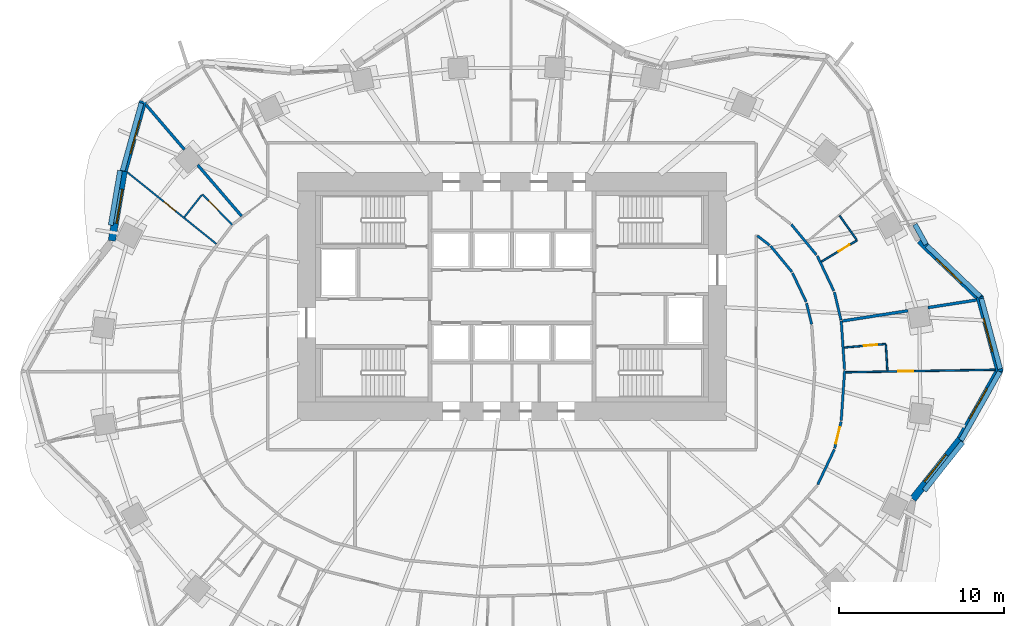
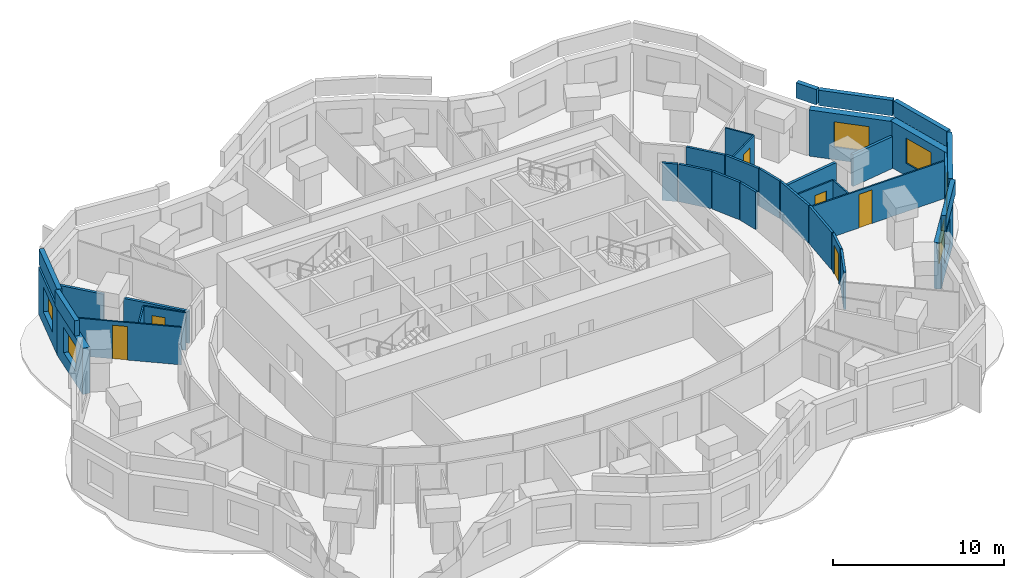
# One storey, part 8 of 12: 36 walls, 6 doors, 6 windows, 12 openings.
"""IFC4 building model written with IfcOpenShell, lengths in metres."""

from ifc_helpers import new_model, si_unit, direction, frame, frame_2d, origin, place, context, subcontext, project, spatial, rectangle, extrude, material, layer, layer_set, type_object, element, fill, save


model = new_model("IFC4")

# Units and contexts
model_context = context("Model", 3, precision=1e-05, world=origin(), true_north=direction((0.0, 1.0)))
body_context = subcontext(model_context, "Body", "Model", "MODEL_VIEW")
ifc_project = project(units=[si_unit("LENGTHUNIT", "METRE"), si_unit("AREAUNIT", "SQUARE_METRE"), si_unit("VOLUMEUNIT", "CUBIC_METRE"), si_unit("PLANEANGLEUNIT", "RADIAN"), si_unit("MASSUNIT", "GRAM", prefix="KILO")], contexts=[model_context])

# Site, building, storey
site_placement = place(None, origin())
site = spatial("IfcSite", under=ifc_project, at=site_placement, CompositionType="ELEMENT")
building_placement = place(site_placement, origin())
building = spatial("IfcBuilding", under=site, at=building_placement, Name="Rubra Terraces Tower", CompositionType="ELEMENT")
storey_placement = place(building_placement, frame((0.0, 0.0, 117.60009765625)))
storey = spatial("IfcBuildingStorey", under=building, at=storey_placement, Name="L28", CompositionType="ELEMENT", Elevation=117.60009765625)

# Walls
ifc_material_1 = material(Name="Twin plasterboard on staggered steel stud, acoustic mineral wool", Category="steel")
ifc_layer_1 = layer(ifc_material_1, 0.175048828125)
ifc_layer_set_1 = layer_set([ifc_layer_1], Name="Twin plasterboard on staggered steel stud, acoustic mineral wool")
wall_type_1 = type_object("IfcWallType", Name="ACOUSTIC PARTY WALL 175 LOW HEAD", PredefinedType="PARTITIONING", material=ifc_layer_set_1)
wall_1_placement = place(storey_placement, frame((28.1396484375, 4.282470703125, 0.0), z_axis=(0.0, 0.0, 1.0), x_axis=(-0.988018688308, -0.154334285089, 0.0)))
element("IfcWall", 1, at=wall_1_placement, inside=storey, type_object=wall_type_1, Name="PARTITION", PredefinedType="PARTITIONING", context=body_context, shape_type="SweptSolid", body=[
    extrude(rectangle(XDim=2.972412109375, YDim=0.175048828125, at=frame_2d((1.486328125, 0.0))), origin(), (0.0, 0.0, 1.0), 2.27978515625),
])
wall_2_placement = place(storey_placement, frame((23.977783203125, 3.63232421875, 0.0), z_axis=(0.0, 0.0, 1.0), x_axis=(-0.988026255512, -0.154285833501, 0.0)))
element("IfcWall", 2, at=wall_2_placement, inside=storey, type_object=wall_type_1, Name="PARTITION", PredefinedType="PARTITIONING", context=body_context, shape_type="SweptSolid", body=[
    extrude(rectangle(XDim=4.00830078125, YDim=0.175048828125, at=frame_2d((2.004150390625, 0.0))), origin(), (0.0, 0.0, 1.0), 2.27978515625),
])
wall_3_placement = place(storey_placement, frame((-22.167236328125, 16.10400390625, 0.0), z_axis=(0.0, 0.0, 1.0), x_axis=(0.651585854712, -0.758574896724, 0.0)))
element("IfcWall", 3, at=wall_3_placement, inside=storey, type_object=wall_type_1, Name="PARTITION", PredefinedType="PARTITIONING", context=body_context, shape_type="SweptSolid", body=[
    extrude(rectangle(XDim=3.566650390625, YDim=0.175048828125, at=frame_2d((1.783203125, 0.0))), origin(), (0.0, 0.0, 1.0), 2.27978515625),
])
wall_4_placement = place(storey_placement, frame((-19.03515625, 12.457763671875, 0.0), z_axis=(0.0, 0.0, 1.0), x_axis=(0.651615806177, -0.758549168571, 0.0)))
element("IfcWall", 4, at=wall_4_placement, inside=storey, type_object=wall_type_1, Name="PARTITION", PredefinedType="PARTITIONING", context=body_context, shape_type="SweptSolid", body=[
    extrude(rectangle(XDim=4.07080078125, YDim=0.175048828125, at=frame_2d((2.035400390625, 0.0))), origin(), (0.0, 0.0, 1.0), 2.27978515625),
])

# Wall, opening, window
ifc_material_2 = material(Name="Brick masonry red-brown", Category="masonry")
ifc_layer_2 = layer(ifc_material_2, 0.449951171875)
ifc_layer_set_2 = layer_set([ifc_layer_2], Name="Brick masonry red-brown")
wall_type_2 = type_object("IfcWallType", Name="Brick facade wall 450", PredefinedType="SOLIDWALL", material=ifc_layer_set_2)
wall_5_placement = place(storey_placement, frame((29.539794921875, -0.05810546875, 0.0), z_axis=(0.0, 0.0, 1.0), x_axis=(-0.258581372102, 0.96598947924, 0.0)))
wall_5 = element("IfcWall", 5, at=wall_5_placement, inside=storey, type_object=wall_type_2, Name="Facade wall L28 bay 1", PredefinedType="SOLIDWALL", context=body_context, shape_type="SweptSolid", body=[
    extrude(rectangle(XDim=4.68017578125, YDim=0.449951171875, at=frame_2d((2.340087890625, 0.0))), origin(), (0.0, 0.0, 1.0), 3.2998046875),
])
opening_1_placement = place(wall_5_placement, frame((1.2900390625, 0.0, 0.89990234375)))
opening_1 = element("IfcOpeningElement", 6, at=opening_1_placement, cuts=wall_5, Name="Opening W1Z", PredefinedType="OPENING", context=body_context, shape_type="SweptSolid", body=[
    extrude(rectangle(XDim=2.10009765625, YDim=1.800048828125, at=frame_2d((1.050048828125, 0.89990234375))), frame((0.0, 0.23486328125, 0.0), z_axis=(0.0, -1.0, 0.0), x_axis=(1.0, 0.0, 0.0)), (0.0, 0.0, 1.0), 0.469970703125),
])
ifc_material_3 = material(Name="Clear glass in aluminium frame", Category="aluminium")
window_type = type_object("IfcWindowType", Name="Fixed deep-set window under transfer level 2100 x 1800", PartitioningType="SINGLE_PANEL", PredefinedType="WINDOW", material=ifc_material_3)
window_1_placement = place(opening_1_placement, origin())
window_1 = element("IfcWindow", 7, at=window_1_placement, inside=storey, type_object=window_type, Name="Window L28 bay 1", OverallHeight=1.800048828125, OverallWidth=2.10009765625, PartitioningType="SINGLE_PANEL", PredefinedType="WINDOW", context=body_context, shape_type="SweptSolid", body=[
    extrude(rectangle(XDim=2.10009765625, YDim=1.800048828125, at=frame_2d((1.050048828125, 0.89990234375))), frame((0.0, 0.135009765625, 0.0), z_axis=(0.0, -1.0, 0.0), x_axis=(1.0, 0.0, 0.0)), (0.0, 0.0, 1.0), 0.06005859375),
])
fill(opening_1, window_1)

wall_6_placement = place(storey_placement, frame((28.38720703125, 4.362548828125, 0.0), z_axis=(0.0, 0.0, 1.0), x_axis=(-0.722717697728, 0.691143349379, 0.0)))
wall_6 = element("IfcWall", 8, at=wall_6_placement, inside=storey, type_object=wall_type_2, Name="Facade wall L28 bay 2", PredefinedType="SOLIDWALL", context=body_context, shape_type="SweptSolid", body=[
    extrude(rectangle(XDim=5.103271484375, YDim=0.449951171875, at=frame_2d((2.5517578125, 0.0))), origin(), (0.0, 0.0, 1.0), 3.2998046875),
])
opening_2_placement = place(wall_6_placement, frame((1.501708984375, 0.0, 0.89990234375)))
opening_2 = element("IfcOpeningElement", 9, at=opening_2_placement, cuts=wall_6, Name="Opening W1Z", PredefinedType="OPENING", context=body_context, shape_type="SweptSolid", body=[
    extrude(rectangle(XDim=2.10009765625, YDim=1.800048828125, at=frame_2d((1.050048828125, 0.89990234375))), frame((0.0, 0.23486328125, 0.0), z_axis=(0.0, -1.0, 0.0), x_axis=(1.0, 0.0, 0.0)), (0.0, 0.0, 1.0), 0.469970703125),
])
window_2_placement = place(opening_2_placement, origin())
window_2 = element("IfcWindow", 10, at=window_2_placement, inside=storey, type_object=window_type, Name="Window L28 bay 2", OverallHeight=1.800048828125, OverallWidth=2.10009765625, PartitioningType="SINGLE_PANEL", PredefinedType="WINDOW", context=body_context, shape_type="SweptSolid", body=[
    extrude(rectangle(XDim=2.10009765625, YDim=1.800048828125, at=frame_2d((1.050048828125, 0.89990234375))), frame((0.0, 0.135009765625, 0.0), z_axis=(0.0, -1.0, 0.0), x_axis=(1.0, 0.0, 0.0)), (0.0, 0.0, 1.0), 0.06005859375),
])
fill(opening_2, window_2)

wall_7_placement = place(storey_placement, frame((-22.343505859375, 16.32568359375, 0.0), z_axis=(0.0, 0.0, 1.0), x_axis=(-0.267925456304, -0.963439645159, 0.0)))
wall_7 = element("IfcWall", 11, at=wall_7_placement, inside=storey, type_object=wall_type_2, Name="Facade wall L28 bay 17", PredefinedType="SOLIDWALL", context=body_context, shape_type="SweptSolid", body=[
    extrude(rectangle(XDim=4.4267578125, YDim=0.449951171875, at=frame_2d((2.21337890625, 0.0))), origin(), (0.0, 0.0, 1.0), 3.2998046875),
])
opening_3_placement = place(wall_7_placement, frame((1.16357421875, 0.0, 0.89990234375)))
opening_3 = element("IfcOpeningElement", 12, at=opening_3_placement, cuts=wall_7, Name="Opening W1Z", PredefinedType="OPENING", context=body_context, shape_type="SweptSolid", body=[
    extrude(rectangle(XDim=2.10009765625, YDim=1.800048828125, at=frame_2d((1.050048828125, 0.89990234375))), frame((0.0, 0.23486328125, 0.0), z_axis=(0.0, -1.0, 0.0), x_axis=(1.0, 0.0, 0.0)), (0.0, 0.0, 1.0), 0.469970703125),
])
window_3_placement = place(opening_3_placement, origin())
window_3 = element("IfcWindow", 13, at=window_3_placement, inside=storey, type_object=window_type, Name="Window L28 bay 17", OverallHeight=1.800048828125, OverallWidth=2.10009765625, PartitioningType="SINGLE_PANEL", PredefinedType="WINDOW", context=body_context, shape_type="SweptSolid", body=[
    extrude(rectangle(XDim=2.10009765625, YDim=1.800048828125, at=frame_2d((1.050048828125, 0.89990234375))), frame((0.0, 0.135009765625, 0.0), z_axis=(0.0, -1.0, 0.0), x_axis=(1.0, 0.0, 0.0)), (0.0, 0.0, 1.0), 0.06005859375),
])
fill(opening_3, window_3)

wall_8_placement = place(storey_placement, frame((-23.524169921875, 12.0830078125, 0.0), z_axis=(0.0, 0.0, 1.0), x_axis=(-0.167445072349, -0.985881406532, 0.0)))
wall_8 = element("IfcWall", 14, at=wall_8_placement, inside=storey, type_object=wall_type_2, Name="Facade wall L28 bay 18", PredefinedType="SOLIDWALL", context=body_context, shape_type="SweptSolid", body=[
    extrude(rectangle(XDim=4.27490234375, YDim=0.449951171875, at=frame_2d((2.137451171875, 0.0))), origin(), (0.0, 0.0, 1.0), 3.2998046875),
])
opening_4_placement = place(wall_8_placement, frame((1.08740234375, 0.0, 0.89990234375)))
opening_4 = element("IfcOpeningElement", 15, at=opening_4_placement, cuts=wall_8, Name="Opening W1Z", PredefinedType="OPENING", context=body_context, shape_type="SweptSolid", body=[
    extrude(rectangle(XDim=2.10009765625, YDim=1.800048828125, at=frame_2d((1.050048828125, 0.89990234375))), frame((0.0, 0.23486328125, 0.0), z_axis=(0.0, -1.0, 0.0), x_axis=(1.0, 0.0, 0.0)), (0.0, 0.0, 1.0), 0.469970703125),
])
window_4_placement = place(opening_4_placement, origin())
window_4 = element("IfcWindow", 16, at=window_4_placement, inside=storey, type_object=window_type, Name="Window L28 bay 18", OverallHeight=1.800048828125, OverallWidth=2.10009765625, PartitioningType="SINGLE_PANEL", PredefinedType="WINDOW", context=body_context, shape_type="SweptSolid", body=[
    extrude(rectangle(XDim=2.10009765625, YDim=1.800048828125, at=frame_2d((1.050048828125, 0.89990234375))), frame((0.0, 0.135009765625, 0.0), z_axis=(0.0, -1.0, 0.0), x_axis=(1.0, 0.0, 0.0)), (0.0, 0.0, 1.0), 0.06005859375),
])
fill(opening_4, window_4)

wall_9_placement = place(storey_placement, frame((24.2822265625, -7.773681640625, 0.0), z_axis=(0.0, 0.0, 1.0), x_axis=(0.621735490397, 0.783227285008, 0.0)))
wall_9 = element("IfcWall", 17, at=wall_9_placement, inside=storey, type_object=wall_type_2, Name="Facade wall L28 bay 39", PredefinedType="SOLIDWALL", context=body_context, shape_type="SweptSolid", body=[
    extrude(rectangle(XDim=4.62451171875, YDim=0.449951171875, at=frame_2d((2.312255859375, 0.0))), origin(), (0.0, 0.0, 1.0), 3.2998046875),
])
opening_5_placement = place(wall_9_placement, frame((1.26220703125, 0.0, 0.89990234375)))
opening_5 = element("IfcOpeningElement", 18, at=opening_5_placement, cuts=wall_9, Name="Opening W1Z", PredefinedType="OPENING", context=body_context, shape_type="SweptSolid", body=[
    extrude(rectangle(XDim=2.10009765625, YDim=1.800048828125, at=frame_2d((1.050048828125, 0.89990234375))), frame((0.0, 0.23486328125, 0.0), z_axis=(0.0, -1.0, 0.0), x_axis=(1.0, 0.0, 0.0)), (0.0, 0.0, 1.0), 0.469970703125),
])
window_5_placement = place(opening_5_placement, origin())
window_5 = element("IfcWindow", 19, at=window_5_placement, inside=storey, type_object=window_type, Name="Window L28 bay 39", OverallHeight=1.800048828125, OverallWidth=2.10009765625, PartitioningType="SINGLE_PANEL", PredefinedType="WINDOW", context=body_context, shape_type="SweptSolid", body=[
    extrude(rectangle(XDim=2.10009765625, YDim=1.800048828125, at=frame_2d((1.050048828125, 0.89990234375))), frame((0.0, 0.135009765625, 0.0), z_axis=(0.0, -1.0, 0.0), x_axis=(1.0, 0.0, 0.0)), (0.0, 0.0, 1.0), 0.06005859375),
])
fill(opening_5, window_5)

wall_10_placement = place(storey_placement, frame((27.138427734375, -4.180908203125, 0.0), z_axis=(0.0, 0.0, 1.0), x_axis=(0.491588303761, 0.870827732451, 0.0)))
wall_10 = element("IfcWall", 20, at=wall_10_placement, inside=storey, type_object=wall_type_2, Name="Facade wall L28 bay 40", PredefinedType="SOLIDWALL", context=body_context, shape_type="SweptSolid", body=[
    extrude(rectangle(XDim=4.924072265625, YDim=0.449951171875, at=frame_2d((2.4619140625, 0.0))), origin(), (0.0, 0.0, 1.0), 3.2998046875),
])
opening_6_placement = place(wall_10_placement, frame((1.412109375, 0.0, 0.89990234375)))
opening_6 = element("IfcOpeningElement", 21, at=opening_6_placement, cuts=wall_10, Name="Opening W1Z", PredefinedType="OPENING", context=body_context, shape_type="SweptSolid", body=[
    extrude(rectangle(XDim=2.10009765625, YDim=1.800048828125, at=frame_2d((1.050048828125, 0.89990234375))), frame((0.0, 0.23486328125, 0.0), z_axis=(0.0, -1.0, 0.0), x_axis=(1.0, 0.0, 0.0)), (0.0, 0.0, 1.0), 0.469970703125),
])
window_6_placement = place(opening_6_placement, origin())
window_6 = element("IfcWindow", 22, at=window_6_placement, inside=storey, type_object=window_type, Name="Window L28 bay 40", OverallHeight=1.800048828125, OverallWidth=2.10009765625, PartitioningType="SINGLE_PANEL", PredefinedType="WINDOW", context=body_context, shape_type="SweptSolid", body=[
    extrude(rectangle(XDim=2.10009765625, YDim=1.800048828125, at=frame_2d((1.050048828125, 0.89990234375))), frame((0.0, 0.135009765625, 0.0), z_axis=(0.0, -1.0, 0.0), x_axis=(1.0, 0.0, 0.0)), (0.0, 0.0, 1.0), 0.06005859375),
])
fill(opening_6, window_6)

# Walls
ifc_layer_3 = layer(ifc_material_2, 0.300048828125)
ifc_layer_set_3 = layer_set([ifc_layer_3], Name="Brick masonry red-brown")
wall_type_3 = type_object("IfcWallType", Name="Brick parapet 300", PredefinedType="PARAPET", material=ifc_layer_set_3)
wall_11_placement = place(storey_placement, frame((29.57275390625, 0.1083984375, 3.599853515625), z_axis=(0.0, 0.0, 1.0), x_axis=(-0.258523195294, 0.96600505045, 0.0)))
element("IfcWall", 23, at=wall_11_placement, inside=storey, type_object=wall_type_3, Name="Parapet L28 bay 1", PredefinedType="PARAPET", context=body_context, shape_type="SweptSolid", body=[
    extrude(rectangle(XDim=4.4140625, YDim=0.300048828125, at=frame_2d((2.20703125, 0.0))), origin(), (0.0, 0.0, 1.0), 1.10009765625),
])
wall_12_placement = place(storey_placement, frame((28.36083984375, 4.491455078125, 3.599853515625), z_axis=(0.0, 0.0, 1.0), x_axis=(-0.722718045729, 0.691142985479, 0.0)))
element("IfcWall", 24, at=wall_12_placement, inside=storey, type_object=wall_type_3, Name="Parapet L28 bay 2", PredefinedType="PARAPET", context=body_context, shape_type="SweptSolid", body=[
    extrude(rectangle(XDim=4.45361328125, YDim=0.300048828125, at=frame_2d((2.226806640625, 0.0))), origin(), (0.0, 0.0, 1.0), 1.10009765625),
])
wall_13_placement = place(storey_placement, frame((25.078369140625, 7.65234375, 3.599853515625), z_axis=(0.0, 0.0, 1.0), x_axis=(-0.485193459679, 0.874406831335, 0.0)))
element("IfcWall", 25, at=wall_13_placement, inside=storey, type_object=wall_type_3, Name="Parapet L28 bay 3", PredefinedType="PARAPET", context=body_context, shape_type="SweptSolid", body=[
    extrude(rectangle(XDim=1.3837890625, YDim=0.300048828125, at=frame_2d((0.69189453125, 0.0))), origin(), (0.0, 0.0, 1.0), 1.10009765625),
])
wall_14_placement = place(storey_placement, frame((-22.452392578125, 16.213134765625, 3.599853515625), z_axis=(0.0, 0.0, 1.0), x_axis=(-0.267993020858, -0.963420853403, 0.0)))
element("IfcWall", 26, at=wall_14_placement, inside=storey, type_object=wall_type_3, Name="Parapet L28 bay 17", PredefinedType="PARAPET", context=body_context, shape_type="SweptSolid", body=[
    extrude(rectangle(XDim=4.25537109375, YDim=0.300048828125, at=frame_2d((2.127685546875, 0.0))), origin(), (0.0, 0.0, 1.0), 1.10009765625),
])
wall_15_placement = place(storey_placement, frame((-23.7451171875, 12.125, 3.599853515625), z_axis=(0.0, 0.0, 1.0), x_axis=(-0.167466753484, -0.985877723898, 0.0)))
element("IfcWall", 27, at=wall_15_placement, inside=storey, type_object=wall_type_3, Name="Parapet L28 bay 18", PredefinedType="PARAPET", context=body_context, shape_type="SweptSolid", body=[
    extrude(rectangle(XDim=3.3544921875, YDim=0.300048828125, at=frame_2d((1.67724609375, 0.0))), origin(), (0.0, 0.0, 1.0), 1.10009765625),
])
wall_16_placement = place(storey_placement, frame((24.9775390625, -7.259521484375, 3.599853515625), z_axis=(0.0, 0.0, 1.0), x_axis=(0.621751362571, 0.783214685218, 0.0)))
element("IfcWall", 28, at=wall_16_placement, inside=storey, type_object=wall_type_3, Name="Parapet L28 bay 39", PredefinedType="PARAPET", context=body_context, shape_type="SweptSolid", body=[
    extrude(rectangle(XDim=3.73779296875, YDim=0.300048828125, at=frame_2d((1.868896484375, 0.0))), origin(), (0.0, 0.0, 1.0), 1.10009765625),
])
wall_17_placement = place(storey_placement, frame((27.204345703125, -4.216796875, 3.599853515625), z_axis=(0.0, 0.0, 1.0), x_axis=(0.491605625826, 0.870817953798, 0.0)))
element("IfcWall", 29, at=wall_17_placement, inside=storey, type_object=wall_type_3, Name="Parapet L28 bay 40", PredefinedType="PARAPET", context=body_context, shape_type="SweptSolid", body=[
    extrude(rectangle(XDim=4.7744140625, YDim=0.300048828125, at=frame_2d((2.38720703125, 0.0))), origin(), (0.0, 0.0, 1.0), 1.10009765625),
])
ifc_material_4 = material(Name="Plasterboard on steel stud, mineral wool infill", Category="steel")
ifc_layer_4 = layer(ifc_material_4, 0.14990234375)
ifc_layer_set_4 = layer_set([ifc_layer_4], Name="Plasterboard on steel stud, mineral wool infill")
wall_type_4 = type_object("IfcWallType", Name="CORRIDOR PARTITION 150", PredefinedType="PARTITIONING", material=ifc_layer_set_4)
wall_18_placement = place(storey_placement, frame((18.521728515625, -6.891357421875, 0.0), z_axis=(0.0, 0.0, 1.0), x_axis=(0.428157819028, 0.903703979191, 0.0)))
element("IfcWall", 30, at=wall_18_placement, inside=storey, type_object=wall_type_4, Name="PARTITION", PredefinedType="PARTITIONING", context=body_context, shape_type="SweptSolid", body=[
    extrude(rectangle(XDim=2.349365234375, YDim=0.14990234375, at=frame_2d((1.1748046875, 0.0))), origin(), (0.0, 0.0, 1.0), 2.683837890625),
])

# Wall, opening, door
wall_19_placement = place(storey_placement, frame((19.54541015625, -4.695556640625, 0.0), z_axis=(0.0, 0.0, 1.0), x_axis=(0.23674251562, 0.971572427201, 0.0)))
wall_19 = element("IfcWall", 31, at=wall_19_placement, inside=storey, type_object=wall_type_4, Name="PARTITION", PredefinedType="PARTITIONING", context=body_context, shape_type="SweptSolid", body=[
    extrude(rectangle(XDim=1.6572265625, YDim=0.14990234375, at=frame_2d((0.82861328125, 0.0))), origin(), (0.0, 0.0, 1.0), 2.683837890625),
])
opening_7_placement = place(wall_19_placement, frame((0.300048828125, 0.0, 0.0)))
opening_7 = element("IfcOpeningElement", 32, at=opening_7_placement, cuts=wall_19, Name="Opening 28-111", PredefinedType="OPENING", context=body_context, shape_type="SweptSolid", body=[
    extrude(rectangle(XDim=1.0, YDim=2.10009765625, at=frame_2d((0.5, 1.050048828125))), frame((0.0, 0.0849609375, 0.0), z_axis=(0.0, -1.0, 0.0), x_axis=(1.0, 0.0, 0.0)), (0.0, 0.0, 1.0), 0.169921875),
])
ifc_material_5 = material(Name="Painted timber door leaf", Category="wood")
door_type_1 = type_object("IfcDoorType", Name="ROOM DOOR 1000 X 2100", OperationType="SINGLE_SWING_LEFT", PredefinedType="DOOR", material=ifc_material_5)
door_1_placement = place(opening_7_placement, origin())
door_1 = element("IfcDoor", 33, at=door_1_placement, inside=storey, type_object=door_type_1, Name="DOOR 28-111", OperationType="SINGLE_SWING_RIGHT", OverallHeight=2.10009765625, OverallWidth=1.0, PredefinedType="DOOR", context=body_context, shape_type="SweptSolid", body=[
    extrude(rectangle(XDim=1.0, YDim=2.10009765625, at=frame_2d((0.5, 1.050048828125))), frame((0.0, 0.02490234375, 0.0), z_axis=(0.0, -1.0, 0.0), x_axis=(1.0, 0.0, 0.0)), (0.0, 0.0, 1.0), 0.050048828125),
])
fill(opening_7, door_1)

# Walls
wall_20_placement = place(storey_placement, frame((19.94287109375, -3.0107421875, 0.0), z_axis=(0.0, 0.0, 1.0), x_axis=(0.068280105787, 0.997666190243, 0.0)))
element("IfcWall", 34, at=wall_20_placement, inside=storey, type_object=wall_type_4, Name="PARTITION", PredefinedType="PARTITIONING", context=body_context, shape_type="SweptSolid", body=[
    extrude(rectangle(XDim=3.017822265625, YDim=0.14990234375, at=frame_2d((1.5087890625, 0.0))), origin(), (0.0, 0.0, 1.0), 2.683837890625),
])
wall_21_placement = place(storey_placement, frame((20.143798828125, 0.07470703125, 0.0), z_axis=(0.0, 0.0, 1.0), x_axis=(-0.068308095169, 0.99766427426, 0.0)))
element("IfcWall", 35, at=wall_21_placement, inside=storey, type_object=wall_type_4, Name="PARTITION", PredefinedType="PARTITIONING", context=body_context, shape_type="SweptSolid", body=[
    extrude(rectangle(XDim=2.934326171875, YDim=0.14990234375, at=frame_2d((1.46728515625, 0.0))), origin(), (0.0, 0.0, 1.0), 2.683837890625),
])
wall_22_placement = place(storey_placement, frame((19.92626953125, 3.0751953125, 0.0), z_axis=(0.0, 0.0, 1.0), x_axis=(-0.229203617638, 0.973378498664, 0.0)))
element("IfcWall", 36, at=wall_22_placement, inside=storey, type_object=wall_type_4, Name="PARTITION", PredefinedType="PARTITIONING", context=body_context, shape_type="SweptSolid", body=[
    extrude(rectangle(XDim=1.739501953125, YDim=0.14990234375, at=frame_2d((0.86962890625, 0.0))), origin(), (0.0, 0.0, 1.0), 2.683837890625),
])
wall_23_placement = place(storey_placement, frame((19.495361328125, 4.836181640625, 0.0), z_axis=(0.0, 0.0, 1.0), x_axis=(-0.428157819028, 0.903703979191, 0.0)))
element("IfcWall", 37, at=wall_23_placement, inside=storey, type_object=wall_type_4, Name="PARTITION", PredefinedType="PARTITIONING", context=body_context, shape_type="SweptSolid", body=[
    extrude(rectangle(XDim=2.349365234375, YDim=0.14990234375, at=frame_2d((1.1748046875, 0.0))), origin(), (0.0, 0.0, 1.0), 2.683837890625),
])
wall_24_placement = place(storey_placement, frame((18.44189453125, 7.01708984375, 0.0), z_axis=(0.0, 0.0, 1.0), x_axis=(-0.636538018119, 0.7712453251, 0.0)))
element("IfcWall", 38, at=wall_24_placement, inside=storey, type_object=wall_type_4, Name="PARTITION", PredefinedType="PARTITIONING", context=body_context, shape_type="SweptSolid", body=[
    extrude(rectangle(XDim=2.388671875, YDim=0.14990234375, at=frame_2d((1.1943359375, 0.0))), origin(), (0.0, 0.0, 1.0), 2.683837890625),
])
wall_25_placement = place(storey_placement, frame((15.66162109375, 7.557861328125, 0.0), z_axis=(0.0, 0.0, 1.0), x_axis=(0.636500564941, -0.7712762351, 0.0)))
element("IfcWall", 39, at=wall_25_placement, inside=storey, type_object=wall_type_4, Name="PARTITION", PredefinedType="PARTITIONING", context=body_context, shape_type="SweptSolid", body=[
    extrude(rectangle(XDim=2.037841796875, YDim=0.14990234375, at=frame_2d((1.01904296875, 0.0))), origin(), (0.0, 0.0, 1.0), 2.683837890625),
])
wall_26_placement = place(storey_placement, frame((16.990966796875, 5.918212890625, 0.0), z_axis=(0.0, 0.0, 1.0), x_axis=(0.428199863362, -0.903684058185, 0.0)))
element("IfcWall", 40, at=wall_26_placement, inside=storey, type_object=wall_type_4, Name="PARTITION", PredefinedType="PARTITIONING", context=body_context, shape_type="SweptSolid", body=[
    extrude(rectangle(XDim=1.94140625, YDim=0.14990234375, at=frame_2d((0.970703125, 0.0))), origin(), (0.0, 0.0, 1.0), 2.683837890625),
])
wall_27_placement = place(storey_placement, frame((17.840087890625, 4.0908203125, 0.0), z_axis=(0.0, 0.0, 1.0), x_axis=(0.236653741324, -0.971594054489, 0.0)))
element("IfcWall", 41, at=wall_27_placement, inside=storey, type_object=wall_type_4, Name="PARTITION", PredefinedType="PARTITIONING", context=body_context, shape_type="SweptSolid", body=[
    extrude(rectangle(XDim=1.319580078125, YDim=0.14990234375, at=frame_2d((0.65966796875, 0.0))), origin(), (0.0, 0.0, 1.0), 2.683837890625),
])
wall_28_placement = place(storey_placement, frame((14.859375, 8.177001953125, 0.0), z_axis=(0.0, 0.0, 1.0), x_axis=(0.791588113465, -0.611055037309, 0.0)))
element("IfcWall", 42, at=wall_28_placement, inside=storey, type_object=wall_type_4, Name="PARTITION", PredefinedType="PARTITIONING", context=body_context, shape_type="SweptSolid", body=[
    extrude(rectangle(XDim=0.9384765625, YDim=0.14990234375, at=frame_2d((0.46923828125, 0.0))), origin(), (0.0, 0.0, 1.0), 2.683837890625),
])

# Wall, opening, door
ifc_material_6 = material(Name="Plasterboard on steel stud", Category="steel")
ifc_layer_5 = layer(ifc_material_6, 0.10009765625)
ifc_layer_set_5 = layer_set([ifc_layer_5], Name="Plasterboard on steel stud")
wall_type_5 = type_object("IfcWallType", Name="ROOM PARTITION 100", PredefinedType="PARTITIONING", material=ifc_layer_set_5)
wall_29_placement = place(storey_placement, frame((29.27001953125, 0.06103515625, 0.0), z_axis=(0.0, 0.0, 1.0), x_axis=(-0.99985431895, -0.017068710461, 0.0)))
wall_29 = element("IfcWall", 43, at=wall_29_placement, inside=storey, type_object=wall_type_5, Name="PARTITION", PredefinedType="PARTITIONING", context=body_context, shape_type="SweptSolid", body=[
    extrude(rectangle(XDim=9.053955078125, YDim=0.10009765625, at=frame_2d((4.52685546875, 0.0))), origin(), (0.0, 0.0, 1.0), 2.683837890625),
])
opening_8_placement = place(wall_29_placement, frame((4.97900390625, 0.0, 0.0)))
opening_8 = element("IfcOpeningElement", 44, at=opening_8_placement, cuts=wall_29, Name="Opening 28-110", PredefinedType="OPENING", context=body_context, shape_type="SweptSolid", body=[
    extrude(rectangle(XDim=0.89990234375, YDim=2.39990234375, at=frame_2d((0.449951171875, 1.199951171875))), frame((0.0, 0.06005859375, 0.0), z_axis=(0.0, -1.0, 0.0), x_axis=(1.0, 0.0, 0.0)), (0.0, 0.0, 1.0), 0.1201171875),
])
ifc_material_7 = material(Name="Veneered timber door leaf, fire-rated", Category="wood")
door_type_2 = type_object("IfcDoorType", Name="SUITE ENTRANCE DOOR 900 X 2400", OperationType="SINGLE_SWING_LEFT", PredefinedType="DOOR", material=ifc_material_7)
door_2_placement = place(opening_8_placement, origin())
door_2 = element("IfcDoor", 45, at=door_2_placement, inside=storey, type_object=door_type_2, Name="DOOR 28-110", OperationType="SINGLE_SWING_LEFT", OverallHeight=2.39990234375, OverallWidth=0.89990234375, PredefinedType="DOOR", context=body_context, shape_type="SweptSolid", body=[
    extrude(rectangle(XDim=0.89990234375, YDim=2.39990234375, at=frame_2d((0.449951171875, 1.199951171875))), frame((0.0, 0.02490234375, 0.0), z_axis=(0.0, -1.0, 0.0), x_axis=(1.0, 0.0, 0.0)), (0.0, 0.0, 1.0), 0.050048828125),
])
fill(opening_8, door_2)

wall_30_placement = place(storey_placement, frame((20.127685546875, 1.407958984375, 0.0), z_axis=(0.0, 0.0, 1.0), x_axis=(0.996504290725, 0.083541597825, 0.0)))
wall_30 = element("IfcWall", 46, at=wall_30_placement, inside=storey, type_object=wall_type_5, Name="PARTITION", PredefinedType="PARTITIONING", context=body_context, shape_type="SweptSolid", body=[
    extrude(rectangle(XDim=2.52490234375, YDim=0.10009765625, at=frame_2d((1.262451171875, 0.0))), origin(), (0.0, 0.0, 1.0), 2.683837890625),
])
opening_9_placement = place(wall_30_placement, frame((1.199951171875, 0.0, 0.0)))
opening_9 = element("IfcOpeningElement", 47, at=opening_9_placement, cuts=wall_30, Name="Opening 28-108", PredefinedType="OPENING", context=body_context, shape_type="SweptSolid", body=[
    extrude(rectangle(XDim=0.800048828125, YDim=2.10009765625, at=frame_2d((0.39990234375, 1.050048828125))), frame((0.0, 0.06005859375, 0.0), z_axis=(0.0, -1.0, 0.0), x_axis=(1.0, 0.0, 0.0)), (0.0, 0.0, 1.0), 0.1201171875),
])
door_type_3 = type_object("IfcDoorType", Name="BATHROOM DOOR 800 X 2100", OperationType="SINGLE_SWING_LEFT", PredefinedType="DOOR", material=ifc_material_5)
door_3_placement = place(opening_9_placement, origin())
door_3 = element("IfcDoor", 48, at=door_3_placement, inside=storey, type_object=door_type_3, Name="DOOR 28-108", OperationType="SINGLE_SWING_LEFT", OverallHeight=2.10009765625, OverallWidth=0.800048828125, PredefinedType="DOOR", context=body_context, shape_type="SweptSolid", body=[
    extrude(rectangle(XDim=0.800048828125, YDim=2.10009765625, at=frame_2d((0.39990234375, 1.050048828125))), frame((0.0, 0.02490234375, 0.0), z_axis=(0.0, -1.0, 0.0), x_axis=(1.0, 0.0, 0.0)), (0.0, 0.0, 1.0), 0.050048828125),
])
fill(opening_9, door_3)

# Wall
wall_31_placement = place(storey_placement, frame((22.646728515625, 1.569091796875, 0.0), z_axis=(0.0, 0.0, 1.0), x_axis=(0.058694714591, -0.998275979116, 0.0)))
element("IfcWall", 49, at=wall_31_placement, inside=storey, type_object=wall_type_5, Name="PARTITION", PredefinedType="PARTITIONING", context=body_context, shape_type="SweptSolid", body=[
    extrude(rectangle(XDim=1.572265625, YDim=0.10009765625, at=frame_2d((0.7861328125, 0.0))), origin(), (0.0, 0.0, 1.0), 2.683837890625),
])

# Wall, opening, door
wall_32_placement = place(storey_placement, frame((18.741455078125, 6.60205078125, 0.0), z_axis=(0.0, 0.0, 1.0), x_axis=(0.857151480402, 0.515064403395, 0.0)))
wall_32 = element("IfcWall", 50, at=wall_32_placement, inside=storey, type_object=wall_type_5, Name="PARTITION", PredefinedType="PARTITIONING", context=body_context, shape_type="SweptSolid", body=[
    extrude(rectangle(XDim=2.52490234375, YDim=0.10009765625, at=frame_2d((1.262451171875, 0.0))), origin(), (0.0, 0.0, 1.0), 2.683837890625),
])
opening_10_placement = place(wall_32_placement, frame((1.199951171875, 0.0, 0.0)))
opening_10 = element("IfcOpeningElement", 51, at=opening_10_placement, cuts=wall_32, Name="Opening 28-112", PredefinedType="OPENING", context=body_context, shape_type="SweptSolid", body=[
    extrude(rectangle(XDim=0.800048828125, YDim=2.10009765625, at=frame_2d((0.39990234375, 1.050048828125))), frame((0.0, 0.06005859375, 0.0), z_axis=(0.0, -1.0, 0.0), x_axis=(1.0, 0.0, 0.0)), (0.0, 0.0, 1.0), 0.1201171875),
])
door_4_placement = place(opening_10_placement, origin())
door_4 = element("IfcDoor", 52, at=door_4_placement, inside=storey, type_object=door_type_3, Name="DOOR 28-112", OperationType="SINGLE_SWING_LEFT", OverallHeight=2.10009765625, OverallWidth=0.800048828125, PredefinedType="DOOR", context=body_context, shape_type="SweptSolid", body=[
    extrude(rectangle(XDim=0.800048828125, YDim=2.10009765625, at=frame_2d((0.39990234375, 1.050048828125))), frame((0.0, 0.02490234375, 0.0), z_axis=(0.0, -1.0, 0.0), x_axis=(1.0, 0.0, 0.0)), (0.0, 0.0, 1.0), 0.050048828125),
])
fill(opening_10, door_4)

# Wall
wall_33_placement = place(storey_placement, frame((20.876708984375, 7.943359375, 0.0), z_axis=(0.0, 0.0, 1.0), x_axis=(-0.578923744967, 0.815381688238, 0.0)))
element("IfcWall", 53, at=wall_33_placement, inside=storey, type_object=wall_type_5, Name="PARTITION", PredefinedType="PARTITIONING", context=body_context, shape_type="SweptSolid", body=[
    extrude(rectangle(XDim=1.77783203125, YDim=0.10009765625, at=frame_2d((0.888916015625, 0.0))), origin(), (0.0, 0.0, 1.0), 2.683837890625),
])

# Wall, opening, door
wall_34_placement = place(storey_placement, frame((-23.302001953125, 12.0234375, 0.0), z_axis=(0.0, 0.0, 1.0), x_axis=(0.779059160474, -0.626950416286, 0.0)))
wall_34 = element("IfcWall", 54, at=wall_34_placement, inside=storey, type_object=wall_type_5, Name="PARTITION", PredefinedType="PARTITIONING", context=body_context, shape_type="SweptSolid", body=[
    extrude(rectangle(XDim=6.922607421875, YDim=0.10009765625, at=frame_2d((3.46142578125, 0.0))), origin(), (0.0, 0.0, 1.0), 2.683837890625),
])
opening_11_placement = place(wall_34_placement, frame((2.846923828125, 0.0, 0.0)))
opening_11 = element("IfcOpeningElement", 55, at=opening_11_placement, cuts=wall_34, Name="Opening 28-125", PredefinedType="OPENING", context=body_context, shape_type="SweptSolid", body=[
    extrude(rectangle(XDim=0.89990234375, YDim=2.39990234375, at=frame_2d((0.449951171875, 1.199951171875))), frame((0.0, 0.06005859375, 0.0), z_axis=(0.0, -1.0, 0.0), x_axis=(1.0, 0.0, 0.0)), (0.0, 0.0, 1.0), 0.1201171875),
])
door_5_placement = place(opening_11_placement, origin())
door_5 = element("IfcDoor", 56, at=door_5_placement, inside=storey, type_object=door_type_2, Name="DOOR 28-125", OperationType="SINGLE_SWING_LEFT", OverallHeight=2.39990234375, OverallWidth=0.89990234375, PredefinedType="DOOR", context=body_context, shape_type="SweptSolid", body=[
    extrude(rectangle(XDim=0.89990234375, YDim=2.39990234375, at=frame_2d((0.449951171875, 1.199951171875))), frame((0.0, 0.02490234375, 0.0), z_axis=(0.0, -1.0, 0.0), x_axis=(1.0, 0.0, 0.0)), (0.0, 0.0, 1.0), 0.050048828125),
])
fill(opening_11, door_5)

wall_35_placement = place(storey_placement, frame((-16.943115234375, 8.83056640625, 0.0), z_axis=(0.0, 0.0, 1.0), x_axis=(-0.697749856207, 0.716341495492, 0.0)))
wall_35 = element("IfcWall", 57, at=wall_35_placement, inside=storey, type_object=wall_type_5, Name="PARTITION", PredefinedType="PARTITIONING", context=body_context, shape_type="SweptSolid", body=[
    extrude(rectangle(XDim=2.60009765625, YDim=0.10009765625, at=frame_2d((1.300048828125, 0.0))), origin(), (0.0, 0.0, 1.0), 2.683837890625),
])
opening_12_placement = place(wall_35_placement, frame((1.25, 0.0, 0.0)))
opening_12 = element("IfcOpeningElement", 58, at=opening_12_placement, cuts=wall_35, Name="Opening 28-124", PredefinedType="OPENING", context=body_context, shape_type="SweptSolid", body=[
    extrude(rectangle(XDim=0.800048828125, YDim=2.10009765625, at=frame_2d((0.39990234375, 1.050048828125))), frame((0.0, 0.06005859375, 0.0), z_axis=(0.0, -1.0, 0.0), x_axis=(1.0, 0.0, 0.0)), (0.0, 0.0, 1.0), 0.1201171875),
])
door_6_placement = place(opening_12_placement, origin())
door_6 = element("IfcDoor", 59, at=door_6_placement, inside=storey, type_object=door_type_3, Name="DOOR 28-124", OperationType="SINGLE_SWING_LEFT", OverallHeight=2.10009765625, OverallWidth=0.800048828125, PredefinedType="DOOR", context=body_context, shape_type="SweptSolid", body=[
    extrude(rectangle(XDim=0.800048828125, YDim=2.10009765625, at=frame_2d((0.39990234375, 1.050048828125))), frame((0.0, 0.02490234375, 0.0), z_axis=(0.0, -1.0, 0.0), x_axis=(1.0, 0.0, 0.0)), (0.0, 0.0, 1.0), 0.050048828125),
])
fill(opening_12, door_6)

# Wall
wall_36_placement = place(storey_placement, frame((-18.7880859375, 10.65380859375, 0.0), z_axis=(0.0, 0.0, 1.0), x_axis=(-0.617053430204, -0.786921256717, 0.0)))
element("IfcWall", 60, at=wall_36_placement, inside=storey, type_object=wall_type_5, Name="PARTITION", PredefinedType="PARTITIONING", context=body_context, shape_type="SweptSolid", body=[
    extrude(rectangle(XDim=1.713134765625, YDim=0.10009765625, at=frame_2d((0.8564453125, 0.0))), origin(), (0.0, 0.0, 1.0), 2.683837890625),
])

save(model, "model.ifc")
